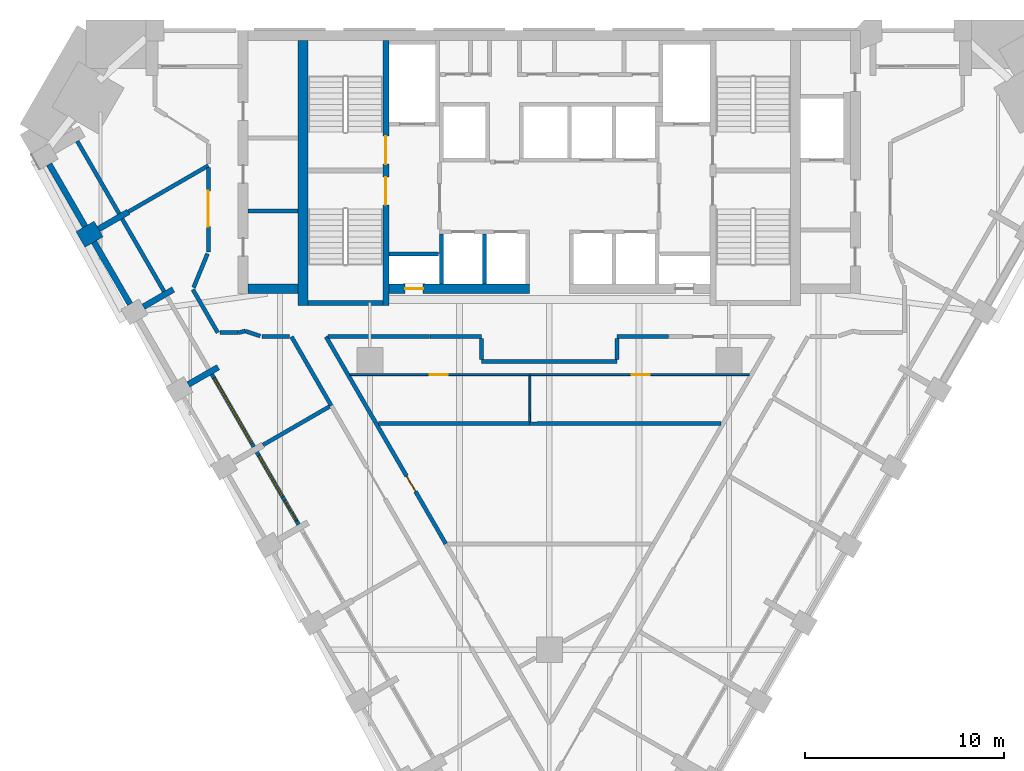
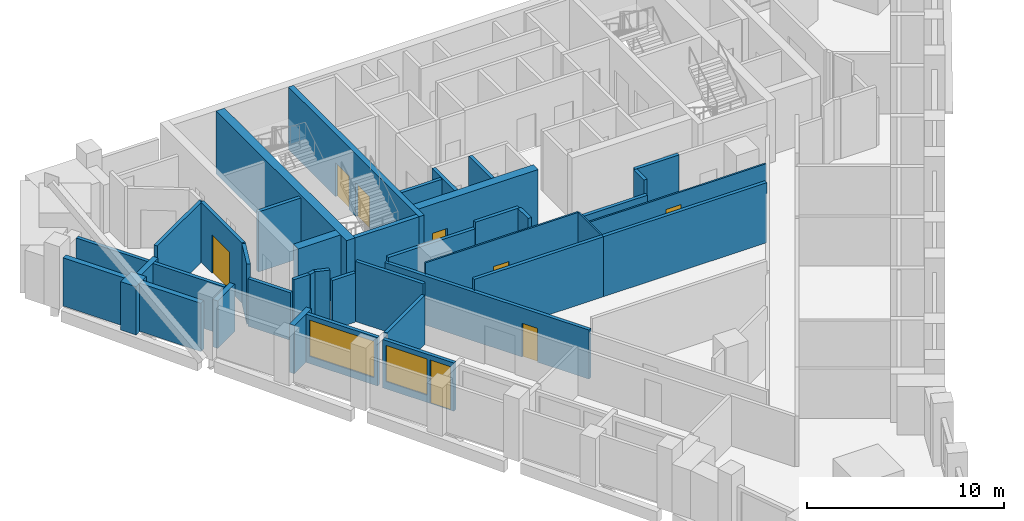
# One storey, part 4 of 9: 41 walls, 8 doors, 2 windows, 10 openings.
"""IFC4 building model written with IfcOpenShell, lengths in metres."""

from ifc_helpers import new_model, si_unit, direction, frame, frame_2d, origin, place, context, subcontext, project, spatial, rectangle, extrude, material, layer, layer_set, type_object, element, fill, save


model = new_model("IFC4")

# Units and contexts
model_context = context("Model", 3, precision=1e-05, world=origin(), true_north=direction((0.0, 1.0)))
body_context = subcontext(model_context, "Body", "Model", "MODEL_VIEW")
ifc_project = project(units=[si_unit("LENGTHUNIT", "METRE"), si_unit("AREAUNIT", "SQUARE_METRE"), si_unit("VOLUMEUNIT", "CUBIC_METRE"), si_unit("PLANEANGLEUNIT", "RADIAN"), si_unit("MASSUNIT", "GRAM", prefix="KILO")], contexts=[model_context])

# Site, building, storey
site_placement = place(None, origin())
site = spatial("IfcSite", under=ifc_project, at=site_placement, CompositionType="ELEMENT")
building_placement = place(site_placement, origin())
building = spatial("IfcBuilding", under=site, at=building_placement, Name="Calabash Gate Tower", CompositionType="ELEMENT")
storey_placement = place(building_placement, frame((0.0, 0.0, 168.0)))
storey = spatial("IfcBuildingStorey", under=building, at=storey_placement, Name="L39", CompositionType="ELEMENT", Elevation=168.0)

# Walls
ifc_material_1 = material(Name="Terracotta brick masonry, exposed face", Category="masonry")
ifc_layer_1 = layer(ifc_material_1, 1.050048828125)
ifc_layer_set_1 = layer_set([ifc_layer_1], Name="Brick end wall 1050")
wall_type_1 = type_object("IfcWallType", Name="Brick end wall 1050", PredefinedType="SOLIDWALL", material=ifc_layer_set_1)
wall_1_placement = place(storey_placement, frame((-23.50830078125, 8.573486328125, 0.0), z_axis=(0.0, 0.0, 1.0), x_axis=(0.865988129768, 0.500064554934, 0.0)))
element("IfcWall", 1, at=wall_1_placement, inside=storey, type_object=wall_type_1, Name="Brick pier S11 SW0.1", PredefinedType="SOLIDWALL", context=body_context, shape_type="SweptSolid", body=[
    extrude(rectangle(XDim=1.050048828125, YDim=0.89990234375, at=frame_2d((0.52490234375, 0.0))), origin(), (0.0, 0.0, 1.0), 3.0),
])
ifc_material_2 = material(Name="Terracotta brick masonry, exposed face", Category="masonry")
ifc_layer_2 = layer(ifc_material_2, 0.300048828125)
ifc_layer_set_2 = layer_set([ifc_layer_2], Name="Brick infill panel wall 300")
wall_type_2 = type_object("IfcWallType", Name="Brick infill panel wall 300", PredefinedType="SOLIDWALL", material=ifc_layer_set_2)
for number, where, z_axis, x_axis, name in (
    (2, (-25.07861328125, 12.343505859375, 0.0), (0.0, 0.0, 1.0), (0.500012057535, -0.866018442252, 0.0), "Brick panel S11 SW0.1"),
    (3, (-22.82861328125, 8.4462890625, 0.0), (0.0, 0.0, 1.0), (0.500012057535, -0.866018442252, 0.0), "Brick panel S11 SW0.2"),
):
    element("IfcWall", number, at=place(storey_placement, frame(where, z_axis=z_axis, x_axis=x_axis)), inside=storey, type_object=wall_type_2, Name=name, PredefinedType="SOLIDWALL", context=body_context, shape_type="SweptSolid", body=[
        extrude(rectangle(XDim=3.60009765625, YDim=0.300048828125, at=frame_2d((1.800048828125, 0.0))), origin(), (0.0, 0.0, 1.0), 3.0),
    ])
ifc_material_3 = material(Name="Terracotta brick masonry, exposed face", Category="masonry")
ifc_layer_3 = layer(ifc_material_3, 0.300048828125)
ifc_layer_set_3 = layer_set([ifc_layer_3], Name="Brick loggia cheek wall 300")
wall_type_3 = type_object("IfcWallType", Name="Brick loggia cheek wall 300", PredefinedType="SOLIDWALL", material=ifc_layer_set_3)
wall_2_placement = place(storey_placement, frame((-21.10498046875, 9.9609375, 0.0), z_axis=(0.0, 0.0, 1.0), x_axis=(-0.866074815912, -0.499914405916, 0.0)))
element("IfcWall", 4, at=wall_2_placement, inside=storey, type_object=wall_type_3, Name="Loggia cheek S11 SW0.1", PredefinedType="SOLIDWALL", context=body_context, shape_type="SweptSolid", body=[
    extrude(rectangle(XDim=1.724853515625, YDim=0.300048828125, at=frame_2d((0.8623046875, 0.0))), origin(), (0.0, 0.0, 1.0), 3.0),
])
wall_3_placement = place(storey_placement, frame((-20.348876953125, 5.201416015625, 0.0), z_axis=(0.0, 0.0, 1.0), x_axis=(0.866013532718, 0.500020560727, 0.0)))
element("IfcWall", 5, at=wall_3_placement, inside=storey, type_object=wall_type_3, Name="Loggia cheek S11 SW0.2", PredefinedType="SOLIDWALL", context=body_context, shape_type="SweptSolid", body=[
    extrude(rectangle(XDim=1.72509765625, YDim=0.300048828125, at=frame_2d((0.862548828125, 0.0))), origin(), (0.0, 0.0, 1.0), 2.9501953125),
])
wall_4_placement = place(storey_placement, frame((-18.098876953125, 1.30419921875, 0.0), z_axis=(0.0, 0.0, 1.0), x_axis=(0.866013532718, 0.500020560727, 0.0)))
element("IfcWall", 6, at=wall_4_placement, inside=storey, type_object=wall_type_3, Name="Loggia cheek S11 SW0.3", PredefinedType="SOLIDWALL", context=body_context, shape_type="SweptSolid", body=[
    extrude(rectangle(XDim=1.72509765625, YDim=0.300048828125, at=frame_2d((0.862548828125, 0.0))), origin(), (0.0, 0.0, 1.0), 3.0),
])
ifc_material_4 = material(Name="Gypsum board on steel studs, mineral wool", Category="steel")
ifc_layer_4 = layer(ifc_material_4, 0.199951171875)
ifc_layer_set_4 = layer_set([ifc_layer_4], Name="Core partition 200 gypsum board")
wall_type_4 = type_object("IfcWallType", Name="Core partition 200 gypsum board", PredefinedType="PARTITIONING", material=ifc_layer_set_4)
wall_5_placement = place(storey_placement, frame((-15.10009765625, 10.0126953125, 0.0), z_axis=(0.0, 0.0, 1.0), x_axis=(1.0, 0.0, 0.0)))
element("IfcWall", 7, at=wall_5_placement, inside=storey, type_object=wall_type_4, Name="Core partition", PredefinedType="PARTITIONING", context=body_context, shape_type="SweptSolid", body=[
    extrude(rectangle(XDim=2.5, YDim=0.199951171875, at=frame_2d((1.25, 0.0))), origin(), (0.0, 0.0, 1.0), 3.72998046875),
])
ifc_material_5 = material(Name="Concrete C70/85", Category="concrete")
ifc_layer_5 = layer(ifc_material_5, 0.25)
ifc_layer_set_5 = layer_set([ifc_layer_5], Name="Core wall 250 Concrete C70/85")
wall_type_5 = type_object("IfcWallType", Name="Core wall 250 Concrete C70/85", PredefinedType="SHEAR", material=ifc_layer_set_5)
wall_6_placement = place(storey_placement, frame((-12.10009765625, 5.377685546875, 0.0), z_axis=(0.0, 0.0, 1.0), x_axis=(1.0, 0.0, 0.0)))
element("IfcWall", 8, at=wall_6_placement, inside=storey, type_object=wall_type_5, Name="Core wall Z3-SSW L39", PredefinedType="SHEAR", context=body_context, shape_type="SweptSolid", body=[
    extrude(rectangle(XDim=3.75, YDim=0.25, at=frame_2d((1.875, 0.0))), origin(), (0.0, 0.0, 1.0), 3.89990234375),
])

# Wall, openings, doors
ifc_material_6 = material(Name="Concrete C70/85", Category="concrete")
ifc_layer_6 = layer(ifc_material_6, 0.300048828125)
ifc_layer_set_6 = layer_set([ifc_layer_6], Name="Core wall 300 Concrete C70/85")
wall_type_6 = type_object("IfcWallType", Name="Core wall 300 Concrete C70/85", PredefinedType="SHEAR", material=ifc_layer_set_6)
wall_7_placement = place(storey_placement, frame((-8.199951171875, 5.252685546875, 0.0), z_axis=(0.0, 0.0, 1.0), x_axis=(0.0, 1.0, 0.0)))
wall_7 = element("IfcWall", 9, at=wall_7_placement, inside=storey, type_object=wall_type_6, Name="Core wall Z3-PARTW L39", PredefinedType="SHEAR", context=body_context, shape_type="SweptSolid", body=[
    extrude(rectangle(XDim=13.2998046875, YDim=0.300048828125, at=frame_2d((6.64990234375, 0.0))), origin(), (0.0, 0.0, 1.0), 3.89990234375),
])
opening_1_placement = place(wall_7_placement, frame((7.10009765625, 0.0, 0.0)))
opening_1 = element("IfcOpeningElement", 10, at=opening_1_placement, cuts=wall_7, Name="Opening O3-017", PredefinedType="OPENING", context=body_context, shape_type="SweptSolid", body=[
    extrude(rectangle(XDim=1.39990234375, YDim=2.10009765625, at=frame_2d((0.699951171875, 1.050048828125))), frame((0.0, 0.159912109375, 0.0), z_axis=(0.0, -1.0, 0.0), x_axis=(1.0, 0.0, 0.0)), (0.0, 0.0, 1.0), 0.320068359375),
])
opening_2_placement = place(wall_7_placement, frame((5.050048828125, 0.0, 0.0)))
opening_2 = element("IfcOpeningElement", 11, at=opening_2_placement, cuts=wall_7, Name="Opening O3-018", PredefinedType="OPENING", context=body_context, shape_type="SweptSolid", body=[
    extrude(rectangle(XDim=1.39990234375, YDim=2.10009765625, at=frame_2d((0.699951171875, 1.050048828125))), frame((0.0, 0.159912109375, 0.0), z_axis=(0.0, -1.0, 0.0), x_axis=(1.0, 0.0, 0.0)), (0.0, 0.0, 1.0), 0.320068359375),
])
ifc_material_7 = material(Name="Steel fire door set with fire-resisting glazing", Category="steel")
door_type_1 = type_object("IfcDoorType", Name="Fire door D05 1400x2100 FD90", OperationType="NOTDEFINED", PredefinedType="DOOR", material=ifc_material_7)
door_1_placement = place(opening_1_placement, origin())
door_1 = element("IfcDoor", 12, at=door_1_placement, inside=storey, type_object=door_type_1, Name="Exit stair door ST1", OperationType="SINGLE_SWING_LEFT", OverallHeight=2.10009765625, OverallWidth=1.39990234375, PredefinedType="DOOR", context=body_context, shape_type="SweptSolid", body=[
    extrude(rectangle(XDim=1.39990234375, YDim=2.10009765625, at=frame_2d((0.699951171875, 1.050048828125))), frame((0.0, 0.02490234375, 0.0), z_axis=(0.0, -1.0, 0.0), x_axis=(1.0, 0.0, 0.0)), (0.0, 0.0, 1.0), 0.050048828125),
])
fill(opening_1, door_1)
door_2_placement = place(opening_2_placement, origin())
door_2 = element("IfcDoor", 13, at=door_2_placement, inside=storey, type_object=door_type_1, Name="Exit stair door ST2", OperationType="SINGLE_SWING_LEFT", OverallHeight=2.10009765625, OverallWidth=1.39990234375, PredefinedType="DOOR", context=body_context, shape_type="SweptSolid", body=[
    extrude(rectangle(XDim=1.39990234375, YDim=2.10009765625, at=frame_2d((0.699951171875, 1.050048828125))), frame((0.0, 0.02490234375, 0.0), z_axis=(0.0, -1.0, 0.0), x_axis=(1.0, 0.0, 0.0)), (0.0, 0.0, 1.0), 0.050048828125),
])
fill(opening_2, door_2)

# Wall
ifc_material_8 = material(Name="Concrete C70/85", Category="concrete")
ifc_layer_7 = layer(ifc_material_8, 0.5)
ifc_layer_set_7 = layer_set([ifc_layer_7], Name="Core wall 500 Concrete C70/85")
wall_type_7 = type_object("IfcWallType", Name="Core wall 500 Concrete C70/85", PredefinedType="SHEAR", material=ifc_layer_set_7)
wall_8_placement = place(storey_placement, frame((-12.35009765625, 5.252685546875, 0.0), z_axis=(0.0, 0.0, 1.0), x_axis=(0.0, 1.0, 0.0)))
element("IfcWall", 14, at=wall_8_placement, inside=storey, type_object=wall_type_7, Name="Core wall Z3-COLW L39", PredefinedType="SHEAR", context=body_context, shape_type="SweptSolid", body=[
    extrude(rectangle(XDim=13.2998046875, YDim=0.5, at=frame_2d((6.64990234375, 0.0))), origin(), (0.0, 0.0, 1.0), 3.89990234375),
])

# Wall, opening, door
wall_9_placement = place(storey_placement, frame((-8.050048828125, 6.1025390625, 0.0), z_axis=(0.0, 0.0, 1.0), x_axis=(1.0, 0.0, 0.0)))
wall_9 = element("IfcWall", 15, at=wall_9_placement, inside=storey, type_object=wall_type_7, Name="Core wall Z3-SA L39", PredefinedType="SHEAR", context=body_context, shape_type="SweptSolid", body=[
    extrude(rectangle(XDim=7.050048828125, YDim=0.5, at=frame_2d((3.52490234375, 0.0))), origin(), (0.0, 0.0, 1.0), 3.89990234375),
])
opening_3_placement = place(wall_9_placement, frame((0.824951171875, 0.0, 0.0)))
opening_3 = element("IfcOpeningElement", 16, at=opening_3_placement, cuts=wall_9, Name="Opening O3-016", PredefinedType="OPENING", context=body_context, shape_type="SweptSolid", body=[
    extrude(rectangle(XDim=0.89990234375, YDim=2.10009765625, at=frame_2d((0.449951171875, 1.050048828125))), frame((0.0, 0.260009765625, 0.0), z_axis=(0.0, -1.0, 0.0), x_axis=(1.0, 0.0, 0.0)), (0.0, 0.0, 1.0), 0.52001953125),
])
ifc_material_9 = material(Name="Steel fire door set with fire-resisting glazing", Category="steel")
door_type_2 = type_object("IfcDoorType", Name="Fire door D07 900x2100 FD90", OperationType="NOTDEFINED", PredefinedType="DOOR", material=ifc_material_9)
door_3_placement = place(opening_3_placement, origin())
door_3 = element("IfcDoor", 17, at=door_3_placement, inside=storey, type_object=door_type_2, Name="Electrical Riser W door", OperationType="SINGLE_SWING_LEFT", OverallHeight=2.10009765625, OverallWidth=0.89990234375, PredefinedType="DOOR", context=body_context, shape_type="SweptSolid", body=[
    extrude(rectangle(XDim=0.89990234375, YDim=2.10009765625, at=frame_2d((0.449951171875, 1.050048828125))), frame((0.0, 0.02490234375, 0.0), z_axis=(0.0, -1.0, 0.0), x_axis=(1.0, 0.0, 0.0)), (0.0, 0.0, 1.0), 0.050048828125),
])
fill(opening_3, door_3)

# Walls
wall_10_placement = place(storey_placement, frame((-12.60009765625, 6.1025390625, 0.0), z_axis=(0.0, 0.0, 1.0), x_axis=(-1.0, 0.0, 0.0)))
element("IfcWall", 18, at=wall_10_placement, inside=storey, type_object=wall_type_7, Name="Core wall Z3-SW L39", PredefinedType="SHEAR", context=body_context, shape_type="SweptSolid", body=[
    extrude(rectangle(XDim=2.5, YDim=0.5, at=frame_2d((1.25, 0.0))), origin(), (0.0, 0.0, 1.0), 3.89990234375),
])
ifc_material_10 = material(Name="Gypsum board on steel studs, mineral wool", Category="steel")
ifc_layer_8 = layer(ifc_material_10, 0.10009765625)
ifc_layer_set_8 = layer_set([ifc_layer_8], Name="Partition 100 gypsum board")
wall_type_8 = type_object("IfcWallType", Name="Partition 100 gypsum board", PredefinedType="PARTITIONING", material=ifc_layer_set_8)
wall_11_placement = place(storey_placement, frame((-0.98193359375, -0.56689453125, 0.0), z_axis=(0.0, 0.0, 1.0), x_axis=(0.000738240676, 0.9999997275, 0.0)))
element("IfcWall", 19, at=wall_11_placement, inside=storey, type_object=wall_type_8, Name="Partition", PredefinedType="PARTITIONING", context=body_context, shape_type="SweptSolid", body=[
    extrude(rectangle(XDim=2.31494140625, YDim=0.10009765625, at=frame_2d((1.157470703125, 0.0))), origin(), (0.0, 0.0, 1.0), 3.72998046875),
])

# Wall, opening, door
wall_12_placement = place(storey_placement, frame((-10.0, 1.7998046875, 0.0), z_axis=(0.0, 0.0, 1.0), x_axis=(0.999999982043, -0.000189511868, 0.0)))
wall_12 = element("IfcWall", 20, at=wall_12_placement, inside=storey, type_object=wall_type_8, Name="Partition", PredefinedType="PARTITIONING", context=body_context, shape_type="SweptSolid", body=[
    extrude(rectangle(XDim=9.017822265625, YDim=0.10009765625, at=frame_2d((4.5087890625, 0.0))), origin(), (0.0, 0.0, 1.0), 3.72998046875),
])
opening_4_placement = place(wall_12_placement, frame((4.0087890625, 0.0, 0.0)))
opening_4 = element("IfcOpeningElement", 21, at=opening_4_placement, cuts=wall_12, Name="Opening 39-41-015", PredefinedType="OPENING", context=body_context, shape_type="SweptSolid", body=[
    extrude(rectangle(XDim=0.89990234375, YDim=2.10009765625, at=frame_2d((0.449951171875, 1.050048828125))), frame((0.0, 0.06005859375, 0.0), z_axis=(0.0, -1.0, 0.0), x_axis=(1.0, 0.0, 0.0)), (0.0, 0.0, 1.0), 0.1201171875),
])
ifc_material_11 = material(Name="Painted timber door", Category="wood")
door_type_3 = type_object("IfcDoorType", Name="WD1 WC door 900x2100", OperationType="NOTDEFINED", PredefinedType="DOOR", material=ifc_material_11)
door_4_placement = place(opening_4_placement, origin())
door_4 = element("IfcDoor", 22, at=door_4_placement, inside=storey, type_object=door_type_3, Name="WC door", OperationType="SINGLE_SWING_RIGHT", OverallHeight=2.10009765625, OverallWidth=0.89990234375, PredefinedType="DOOR", context=body_context, shape_type="SweptSolid", body=[
    extrude(rectangle(XDim=0.89990234375, YDim=2.10009765625, at=frame_2d((0.449951171875, 1.050048828125))), frame((0.0, 0.02490234375, 0.0), z_axis=(0.0, -1.0, 0.0), x_axis=(1.0, 0.0, 0.0)), (0.0, 0.0, 1.0), 0.050048828125),
])
fill(opening_4, door_4)

wall_13_placement = place(storey_placement, frame((-0.980224609375, 1.798095703125, 0.0), z_axis=(0.0, 0.0, 1.0), x_axis=(1.0, 0.0, 0.0)))
wall_13 = element("IfcWall", 23, at=wall_13_placement, inside=storey, type_object=wall_type_8, Name="Partition", PredefinedType="PARTITIONING", context=body_context, shape_type="SweptSolid", body=[
    extrude(rectangle(XDim=11.0146484375, YDim=0.10009765625, at=frame_2d((5.50732421875, 0.0))), origin(), (0.0, 0.0, 1.0), 2.884033203125),
])
opening_5_placement = place(wall_13_placement, frame((5.10693359375, 0.0, 0.0)))
opening_5 = element("IfcOpeningElement", 24, at=opening_5_placement, cuts=wall_13, Name="Opening 39-41-016", PredefinedType="OPENING", context=body_context, shape_type="SweptSolid", body=[
    extrude(rectangle(XDim=0.89990234375, YDim=2.10009765625, at=frame_2d((0.449951171875, 1.050048828125))), frame((0.0, 0.06005859375, 0.0), z_axis=(0.0, -1.0, 0.0), x_axis=(1.0, 0.0, 0.0)), (0.0, 0.0, 1.0), 0.1201171875),
])
door_5_placement = place(opening_5_placement, origin())
door_5 = element("IfcDoor", 25, at=door_5_placement, inside=storey, type_object=door_type_3, Name="WC door", OperationType="SINGLE_SWING_LEFT", OverallHeight=2.10009765625, OverallWidth=0.89990234375, PredefinedType="DOOR", context=body_context, shape_type="SweptSolid", body=[
    extrude(rectangle(XDim=0.89990234375, YDim=2.10009765625, at=frame_2d((0.449951171875, 1.050048828125))), frame((0.0, 0.02490234375, 0.0), z_axis=(0.0, -1.0, 0.0), x_axis=(1.0, 0.0, 0.0)), (0.0, 0.0, 1.0), 0.050048828125),
])
fill(opening_5, door_5)

# Walls
ifc_material_12 = material(Name="Gypsum board on steel studs, mineral wool", Category="steel")
ifc_layer_9 = layer(ifc_material_12, 0.199951171875)
ifc_layer_set_9 = layer_set([ifc_layer_9], Name="Partition 200 gypsum board EI 60")
wall_type_9 = type_object("IfcWallType", Name="Partition 200 gypsum board EI 60", PredefinedType="PARTITIONING", material=ifc_layer_set_9)
wall_14_placement = place(storey_placement, frame((-14.355224609375, -1.72998046875, 0.0), z_axis=(0.0, 0.0, 1.0), x_axis=(0.865832714873, 0.500333598567, 0.0)))
element("IfcWall", 26, at=wall_14_placement, inside=storey, type_object=wall_type_9, Name="Partition", PredefinedType="PARTITIONING", context=body_context, shape_type="SweptSolid", body=[
    extrude(rectangle(XDim=3.849365234375, YDim=0.199951171875, at=frame_2d((1.9248046875, 0.0))), origin(), (0.0, 0.0, 1.0), 3.052001953125),
])
wall_15_placement = place(storey_placement, frame((-8.57470703125, -0.665283203125, 0.0), z_axis=(0.0, 0.0, 1.0), x_axis=(0.999999999483, 3.2155375e-05, 0.0)))
element("IfcWall", 27, at=wall_15_placement, inside=storey, type_object=wall_type_9, Name="Partition", PredefinedType="PARTITIONING", context=body_context, shape_type="SweptSolid", body=[
    extrude(rectangle(XDim=7.592529296875, YDim=0.199951171875, at=frame_2d((3.79638671875, 0.0))), origin(), (0.0, 0.0, 1.0), 3.72998046875),
])
wall_16_placement = place(storey_placement, frame((-0.98193359375, -0.666748046875, 0.0), z_axis=(0.0, 0.0, 1.0), x_axis=(0.999999988339, 0.000152714498, 0.0)))
element("IfcWall", 28, at=wall_16_placement, inside=storey, type_object=wall_type_9, Name="Partition", PredefinedType="PARTITIONING", context=body_context, shape_type="SweptSolid", body=[
    extrude(rectangle(XDim=9.592041015625, YDim=0.199951171875, at=frame_2d((4.7958984375, 0.0))), origin(), (0.0, 0.0, 1.0), 3.72998046875),
])
wall_17_placement = place(storey_placement, frame((-12.929443359375, 3.699462890625, 0.0), z_axis=(0.0, 0.0, 1.0), x_axis=(0.499667701935, -0.866217171177, 0.0)))
element("IfcWall", 29, at=wall_17_placement, inside=storey, type_object=wall_type_9, Name="Partition", PredefinedType="PARTITIONING", context=body_context, shape_type="SweptSolid", body=[
    extrude(rectangle(XDim=3.989013671875, YDim=0.199951171875, at=frame_2d((1.99462890625, 0.0))), origin(), (0.0, 0.0, 1.0), 3.72998046875),
])
wall_18_placement = place(storey_placement, frame((-3.39990234375, 2.452392578125, 0.0), z_axis=(0.0, 0.0, 1.0), x_axis=(1.0, 0.0, 0.0)))
element("IfcWall", 30, at=wall_18_placement, inside=storey, type_object=wall_type_9, Name="Partition", PredefinedType="PARTITIONING", context=body_context, shape_type="SweptSolid", body=[
    extrude(rectangle(XDim=6.7998046875, YDim=0.199951171875, at=frame_2d((3.39990234375, 0.0))), origin(), (0.0, 0.0, 1.0), 2.884033203125),
])
for number, where, z_axis, x_axis, name in (
    (31, (-3.40185546875, 3.598388671875, 0.0), (0.0, 0.0, 1.0), (0.001633984747, -0.999998665046, 0.0), "Partition"),
    (32, (3.400146484375, 2.552490234375, 0.0), (0.0, 0.0, 1.0), (0.001633984747, 0.999998665046, 0.0), "Partition"),
):
    element("IfcWall", number, at=place(storey_placement, frame(where, z_axis=z_axis, x_axis=x_axis)), inside=storey, type_object=wall_type_9, Name=name, PredefinedType="PARTITIONING", context=body_context, shape_type="SweptSolid", body=[
        extrude(rectangle(XDim=1.0458984375, YDim=0.199951171875, at=frame_2d((0.52294921875, 0.0))), origin(), (0.0, 0.0, 1.0), 3.72998046875),
    ])
wall_19_placement = place(storey_placement, frame((-14.400146484375, 3.699462890625, 0.0), z_axis=(0.0, 0.0, 1.0), x_axis=(1.0, 0.0, 0.0)))
element("IfcWall", 33, at=wall_19_placement, inside=storey, type_object=wall_type_9, Name="Partition", PredefinedType="PARTITIONING", context=body_context, shape_type="SweptSolid", body=[
    extrude(rectangle(XDim=1.37060546875, YDim=0.199951171875, at=frame_2d((0.685302734375, 0.0))), origin(), (0.0, 0.0, 1.0), 3.052001953125),
])

# Wall, opening, door
wall_20_placement = place(storey_placement, frame((-11.197998046875, 3.69921875, 0.0), z_axis=(0.0, 0.0, 1.0), x_axis=(0.500539648856, -0.865713613109, 0.0)))
wall_20 = element("IfcWall", 34, at=wall_20_placement, inside=storey, type_object=wall_type_9, Name="Partition", PredefinedType="PARTITIONING", context=body_context, shape_type="SweptSolid", body=[
    extrude(rectangle(XDim=11.997314453125, YDim=0.199951171875, at=frame_2d((5.99853515625, 0.0))), origin(), (0.0, 0.0, 1.0), 3.052001953125),
])
opening_6_placement = place(wall_20_placement, frame((8.069580078125, 0.0, 0.0)))
opening_6 = element("IfcOpeningElement", 35, at=opening_6_placement, cuts=wall_20, Name="Opening 39-41-008", PredefinedType="OPENING", context=body_context, shape_type="SweptSolid", body=[
    extrude(rectangle(XDim=0.89990234375, YDim=2.10009765625, at=frame_2d((0.449951171875, 1.050048828125))), frame((0.0, 0.10986328125, 0.0), z_axis=(0.0, -1.0, 0.0), x_axis=(1.0, 0.0, 0.0)), (0.0, 0.0, 1.0), 0.219970703125),
])
ifc_material_13 = material(Name="Steel fire door set with fire-resisting glazing", Category="steel")
door_type_4 = type_object("IfcDoorType", Name="SD3 Store door 900x2100", OperationType="NOTDEFINED", PredefinedType="DOOR", material=ifc_material_13)
door_6_placement = place(opening_6_placement, origin())
door_6 = element("IfcDoor", 36, at=door_6_placement, inside=storey, type_object=door_type_4, Name="Store door", OperationType="SINGLE_SWING_RIGHT", OverallHeight=2.10009765625, OverallWidth=0.89990234375, PredefinedType="DOOR", context=body_context, shape_type="SweptSolid", body=[
    extrude(rectangle(XDim=0.89990234375, YDim=2.10009765625, at=frame_2d((0.449951171875, 1.050048828125))), frame((0.0, 0.02490234375, 0.0), z_axis=(0.0, -1.0, 0.0), x_axis=(1.0, 0.0, 0.0)), (0.0, 0.0, 1.0), 0.050048828125),
])
fill(opening_6, door_6)

# Walls
wall_21_placement = place(storey_placement, frame((-11.0966796875, 3.69970703125, 0.0), z_axis=(0.0, 0.0, 1.0), x_axis=(1.0, 0.0, 0.0)))
element("IfcWall", 37, at=wall_21_placement, inside=storey, type_object=wall_type_9, Name="Partition", PredefinedType="PARTITIONING", context=body_context, shape_type="SweptSolid", body=[
    extrude(rectangle(XDim=5.0966796875, YDim=0.199951171875, at=frame_2d((2.54833984375, 0.0))), origin(), (0.0, 0.0, 1.0), 3.33154296875),
])
for number, where, z_axis, x_axis, name in (
    (38, (-5.986328125, 3.699951171875, 0.0), (0.0, 0.0, 1.0), (0.999999839346, -0.000566839777, 0.0), "Partition"),
    (39, (3.402099609375, 3.698486328125, 0.0), (0.0, 0.0, 1.0), (0.999999839346, 0.000566839777, 0.0), "Partition"),
):
    element("IfcWall", number, at=place(storey_placement, frame(where, z_axis=z_axis, x_axis=x_axis)), inside=storey, type_object=wall_type_9, Name=name, PredefinedType="PARTITIONING", context=body_context, shape_type="SweptSolid", body=[
        extrude(rectangle(XDim=2.584228515625, YDim=0.199951171875, at=frame_2d((1.2919921875, 0.0))), origin(), (0.0, 0.0, 1.0), 3.72998046875),
    ])
wall_22_placement = place(storey_placement, frame((-15.24560546875, 3.9814453125, 0.0), z_axis=(0.0, 0.0, 1.0), x_axis=(0.948683298051, -0.316227766017, 0.0)))
element("IfcWall", 40, at=wall_22_placement, inside=storey, type_object=wall_type_9, Name="Partition", PredefinedType="PARTITIONING", context=body_context, shape_type="SweptSolid", body=[
    extrude(rectangle(XDim=0.791259765625, YDim=0.199951171875, at=frame_2d((0.3955078125, 0.0))), origin(), (0.0, 0.0, 1.0), 3.72998046875),
])
wall_23_placement = place(storey_placement, frame((-17.87646484375, 6.068115234375, 0.0), z_axis=(0.0, 0.0, 1.0), x_axis=(0.499998165157, -0.866026463129, 0.0)))
element("IfcWall", 41, at=wall_23_placement, inside=storey, type_object=wall_type_9, Name="Partition", PredefinedType="PARTITIONING", context=body_context, shape_type="SweptSolid", body=[
    extrude(rectangle(XDim=2.50390625, YDim=0.199951171875, at=frame_2d((1.251953125, 0.0))), origin(), (0.0, 0.0, 1.0), 2.9501953125),
])
wall_24_placement = place(storey_placement, frame((-16.5244140625, 3.899658203125, 0.0), z_axis=(0.0, 0.0, 1.0), x_axis=(0.999999965136, -0.000264061253, 0.0)))
element("IfcWall", 42, at=wall_24_placement, inside=storey, type_object=wall_type_9, Name="Partition", PredefinedType="PARTITIONING", context=body_context, shape_type="SweptSolid", body=[
    extrude(rectangle(XDim=0.924560546875, YDim=0.199951171875, at=frame_2d((0.46240234375, 0.0))), origin(), (0.0, 0.0, 1.0), 3.72998046875),
])
wall_25_placement = place(storey_placement, frame((-15.599853515625, 3.8994140625, 0.0), z_axis=(0.0, 0.0, 1.0), x_axis=(0.974221178676, 0.225594980038, 0.0)))
element("IfcWall", 43, at=wall_25_placement, inside=storey, type_object=wall_type_9, Name="Partition", PredefinedType="PARTITIONING", context=body_context, shape_type="SweptSolid", body=[
    extrude(rectangle(XDim=0.363525390625, YDim=0.199951171875, at=frame_2d((0.181640625, 0.0))), origin(), (0.0, 0.0, 1.0), 3.72998046875),
])
wall_26_placement = place(storey_placement, frame((-17.83837890625, 6.16064453125, 0.0), z_axis=(0.0, 0.0, 1.0), x_axis=(0.380716398764, 0.924691853383, 0.0)))
element("IfcWall", 44, at=wall_26_placement, inside=storey, type_object=wall_type_9, Name="Partition", PredefinedType="PARTITIONING", context=body_context, shape_type="SweptSolid", body=[
    extrude(rectangle(XDim=1.837890625, YDim=0.199951171875, at=frame_2d((0.9189453125, 0.0))), origin(), (0.0, 0.0, 1.0), 3.72998046875),
])

# Wall, opening, door
wall_27_placement = place(storey_placement, frame((-17.10205078125, 12.172119140625, 0.0), z_axis=(0.0, 0.0, 1.0), x_axis=(0.00034716193, -0.999999939739, 0.0)))
wall_27 = element("IfcWall", 45, at=wall_27_placement, inside=storey, type_object=wall_type_9, Name="Partition", PredefinedType="PARTITIONING", context=body_context, shape_type="SweptSolid", body=[
    extrude(rectangle(XDim=4.219482421875, YDim=0.199951171875, at=frame_2d((2.10986328125, 0.0))), origin(), (0.0, 0.0, 1.0), 3.72998046875),
])
opening_7_placement = place(wall_27_placement, frame((1.1591796875, 0.0, 0.0)))
opening_7 = element("IfcOpeningElement", 46, at=opening_7_placement, cuts=wall_27, Name="Opening 39-41-009", PredefinedType="OPENING", context=body_context, shape_type="SweptSolid", body=[
    extrude(rectangle(XDim=1.800048828125, YDim=2.39990234375, at=frame_2d((0.89990234375, 1.199951171875))), frame((0.0, 0.10986328125, 0.0), z_axis=(0.0, -1.0, 0.0), x_axis=(1.0, 0.0, 0.0)), (0.0, 0.0, 1.0), 0.219970703125),
])
ifc_material_14 = material(Name="Steel fire door set with fire-resisting glazing", Category="steel")
door_type_5 = type_object("IfcDoorType", Name="TD1 Tenancy entrance double door 1800x2400", OperationType="NOTDEFINED", PredefinedType="DOOR", material=ifc_material_14)
door_7_placement = place(opening_7_placement, origin())
door_7 = element("IfcDoor", 47, at=door_7_placement, inside=storey, type_object=door_type_5, Name="Tenancy entrance double door", OperationType="DOUBLE_DOOR_SINGLE_SWING", OverallHeight=2.39990234375, OverallWidth=1.800048828125, PredefinedType="DOOR", context=body_context, shape_type="SweptSolid", body=[
    extrude(rectangle(XDim=1.800048828125, YDim=2.39990234375, at=frame_2d((0.89990234375, 1.199951171875))), frame((0.0, 0.02490234375, 0.0), z_axis=(0.0, -1.0, 0.0), x_axis=(1.0, 0.0, 0.0)), (0.0, 0.0, 1.0), 0.050048828125),
])
fill(opening_7, door_7)

# Walls
wall_28_placement = place(storey_placement, frame((-21.105224609375, 9.961181640625, 0.0), z_axis=(0.0, 0.0, 1.0), x_axis=(0.8658488129, 0.500305739723, 0.0)))
element("IfcWall", 48, at=wall_28_placement, inside=storey, type_object=wall_type_9, Name="Partition", PredefinedType="PARTITIONING", context=body_context, shape_type="SweptSolid", body=[
    extrude(rectangle(XDim=4.625, YDim=0.199951171875, at=frame_2d((2.3125, 0.0))), origin(), (0.0, 0.0, 1.0), 3.72998046875),
])
ifc_material_15 = material(Name="Concrete C40/50", Category="concrete")
ifc_layer_10 = layer(ifc_material_15, 0.199951171875)
ifc_layer_set_10 = layer_set([ifc_layer_10], Name="Shaft wall 200 Concrete C40/50")
wall_type_10 = type_object("IfcWallType", Name="Shaft wall 200 Concrete C40/50", PredefinedType="SOLIDWALL", material=ifc_layer_set_10)
for number, where, z_axis, x_axis, name in (
    (49, (-5.39990234375, 6.3525390625, 0.0), (0.0, 0.0, 1.0), (0.0, 1.0, 0.0), "Shaft wall"),
    (50, (-3.25, 6.3525390625, 0.0), (0.0, 0.0, 1.0), (0.0, 1.0, 0.0), "Shaft wall"),
    (51, (-8.050048828125, 7.8525390625, 0.0), (0.0, 0.0, 1.0), (1.0, 0.0, 0.0), "Shaft wall"),
):
    element("IfcWall", number, at=place(storey_placement, frame(where, z_axis=z_axis, x_axis=x_axis)), inside=storey, type_object=wall_type_10, Name=name, PredefinedType="SOLIDWALL", context=body_context, shape_type="SweptSolid", body=[
        extrude(rectangle(XDim=2.5, YDim=0.199951171875, at=frame_2d((1.25, 0.0))), origin(), (0.0, 0.0, 1.0), 3.72998046875),
    ])
ifc_material_16 = material(Name="Aluminium framed window wall with insulated spandrel", Category="aluminium")
ifc_layer_11 = layer(ifc_material_16, 0.199951171875)
ifc_layer_set_11 = layer_set([ifc_layer_11], Name="Window wall 200")
wall_type_11 = type_object("IfcWallType", Name="Window wall 200", PredefinedType="ELEMENTEDWALL", material=ifc_layer_set_11)
wall_29_placement = place(storey_placement, frame((-23.669921875, 13.503173828125, 0.0), z_axis=(0.0, 0.0, 1.0), x_axis=(0.500027713859, -0.866009402589, 0.0)))
element("IfcWall", 52, at=wall_29_placement, inside=storey, type_object=wall_type_11, Name="Window wall S11 SW0.1", PredefinedType="ELEMENTEDWALL", context=body_context, shape_type="SweptSolid", body=[
    extrude(rectangle(XDim=4.199951171875, YDim=0.199951171875, at=frame_2d((2.10009765625, 0.0))), origin(), (0.0, 0.0, 1.0), 3.0),
])
wall_30_placement = place(storey_placement, frame((-21.419921875, 9.606201171875, 0.0), z_axis=(0.0, 0.0, 1.0), x_axis=(0.500002543286, -0.866023935413, 0.0)))
element("IfcWall", 53, at=wall_30_placement, inside=storey, type_object=wall_type_11, Name="Window wall S11 SW0.2", PredefinedType="ELEMENTEDWALL", context=body_context, shape_type="SweptSolid", body=[
    extrude(rectangle(XDim=4.2001953125, YDim=0.199951171875, at=frame_2d((2.10009765625, 0.0))), origin(), (0.0, 0.0, 1.0), 3.0),
])

# Wall, opening, window
wall_31_placement = place(storey_placement, frame((-16.919921875, 1.81201171875, 0.0), z_axis=(0.0, 0.0, 1.0), x_axis=(0.500002543286, -0.866023935413, 0.0)))
wall_31 = element("IfcWall", 54, at=wall_31_placement, inside=storey, type_object=wall_type_11, Name="Window wall S11 SW0.4", PredefinedType="ELEMENTEDWALL", context=body_context, shape_type="SweptSolid", body=[
    extrude(rectangle(XDim=4.2001953125, YDim=0.199951171875, at=frame_2d((2.10009765625, 0.0))), origin(), (0.0, 0.0, 1.0), 3.0),
])
opening_8_placement = place(wall_31_placement, frame((0.199951171875, 0.0, 0.449951171875)))
opening_8 = element("IfcOpeningElement", 55, at=opening_8_placement, cuts=wall_31, Name="Opening OW2", PredefinedType="OPENING", context=body_context, shape_type="SweptSolid", body=[
    extrude(rectangle(XDim=3.800048828125, YDim=2.25, at=frame_2d((1.89990234375, 1.125))), frame((0.0, 0.10986328125, 0.0), z_axis=(0.0, -1.0, 0.0), x_axis=(1.0, 0.0, 0.0)), (0.0, 0.0, 1.0), 0.219970703125),
])
ifc_material_17 = material(Name="Anodised aluminium frame, bronze finish, impact-rated laminated clear glazing", Category="aluminium")
window_type_1 = type_object("IfcWindowType", Name="Window OW2 3800x2250", PartitioningType="TRIPLE_PANEL_VERTICAL", PredefinedType="WINDOW", material=ifc_material_17)
window_1_placement = place(opening_8_placement, origin())
window_1 = element("IfcWindow", 56, at=window_1_placement, inside=storey, type_object=window_type_1, Name="Window OW2 S11 SW0.4", OverallHeight=2.25, OverallWidth=3.800048828125, PartitioningType="SINGLE_PANEL", PredefinedType="WINDOW", context=body_context, shape_type="SweptSolid", body=[
    extrude(rectangle(XDim=3.800048828125, YDim=2.25, at=frame_2d((1.89990234375, 1.125))), frame((0.0, 0.030029296875, 0.0), z_axis=(0.0, -1.0, 0.0), x_axis=(1.0, 0.0, 0.0)), (0.0, 0.0, 1.0), 0.06005859375),
])
fill(opening_8, window_1)

# Wall, openings, door, window
wall_32_placement = place(storey_placement, frame((-14.669921875, -2.085205078125, 0.0), z_axis=(0.0, 0.0, 1.0), x_axis=(0.500027713859, -0.866009402589, 0.0)))
wall_32 = element("IfcWall", 57, at=wall_32_placement, inside=storey, type_object=wall_type_11, Name="Window wall S11 SW0.5", PredefinedType="ELEMENTEDWALL", context=body_context, shape_type="SweptSolid", body=[
    extrude(rectangle(XDim=4.199951171875, YDim=0.199951171875, at=frame_2d((2.10009765625, 0.0))), origin(), (0.0, 0.0, 1.0), 3.0),
])
opening_9_placement = place(wall_32_placement, frame((0.199951171875, 0.0, 0.449951171875)))
opening_9 = element("IfcOpeningElement", 58, at=opening_9_placement, cuts=wall_32, Name="Opening OW1", PredefinedType="OPENING", context=body_context, shape_type="SweptSolid", body=[
    extrude(rectangle(XDim=2.39990234375, YDim=2.25, at=frame_2d((1.199951171875, 1.125))), frame((0.0, 0.10986328125, 0.0), z_axis=(0.0, -1.0, 0.0), x_axis=(1.0, 0.0, 0.0)), (0.0, 0.0, 1.0), 0.219970703125),
])
opening_10_placement = place(wall_32_placement, frame((2.800048828125, 0.0, 0.0)))
opening_10 = element("IfcOpeningElement", 59, at=opening_10_placement, cuts=wall_32, Name="Opening O3-026", PredefinedType="OPENING", context=body_context, shape_type="SweptSolid", body=[
    extrude(rectangle(XDim=1.199951171875, YDim=2.699951171875, at=frame_2d((0.60009765625, 1.35009765625))), frame((0.0, 0.10986328125, 0.0), z_axis=(0.0, -1.0, 0.0), x_axis=(1.0, 0.0, 0.0)), (0.0, 0.0, 1.0), 0.219970703125),
])
ifc_material_18 = material(Name="Anodised aluminium frame, bronze finish, impact-rated laminated clear glazing", Category="aluminium")
door_type_6 = type_object("IfcDoorType", Name="Loggia door DO1 1200x2700", OperationType="SLIDING_TO_LEFT", PredefinedType="DOOR", material=ifc_material_18)
door_8_placement = place(opening_10_placement, origin())
door_8 = element("IfcDoor", 60, at=door_8_placement, inside=storey, type_object=door_type_6, Name="Loggia door S11 SW0.5", OperationType="SINGLE_SWING_LEFT", OverallHeight=2.699951171875, OverallWidth=1.199951171875, PredefinedType="DOOR", context=body_context, shape_type="SweptSolid", body=[
    extrude(rectangle(XDim=1.199951171875, YDim=2.699951171875, at=frame_2d((0.60009765625, 1.35009765625))), frame((0.0, 0.02490234375, 0.0), z_axis=(0.0, -1.0, 0.0), x_axis=(1.0, 0.0, 0.0)), (0.0, 0.0, 1.0), 0.050048828125),
])
fill(opening_10, door_8)
ifc_material_19 = material(Name="Anodised aluminium frame, bronze finish, impact-rated laminated clear glazing", Category="aluminium")
window_type_2 = type_object("IfcWindowType", Name="Window OW1 2400x2250", PartitioningType="DOUBLE_PANEL_VERTICAL", PredefinedType="WINDOW", material=ifc_material_19)
window_2_placement = place(opening_9_placement, origin())
window_2 = element("IfcWindow", 61, at=window_2_placement, inside=storey, type_object=window_type_2, Name="Window OW1 S11 SW0.5", OverallHeight=2.25, OverallWidth=2.39990234375, PartitioningType="SINGLE_PANEL", PredefinedType="WINDOW", context=body_context, shape_type="SweptSolid", body=[
    extrude(rectangle(XDim=2.39990234375, YDim=2.25, at=frame_2d((1.199951171875, 1.125))), frame((0.0, 0.030029296875, 0.0), z_axis=(0.0, -1.0, 0.0), x_axis=(1.0, 0.0, 0.0)), (0.0, 0.0, 1.0), 0.06005859375),
])
fill(opening_9, window_2)

save(model, "model.ifc")
